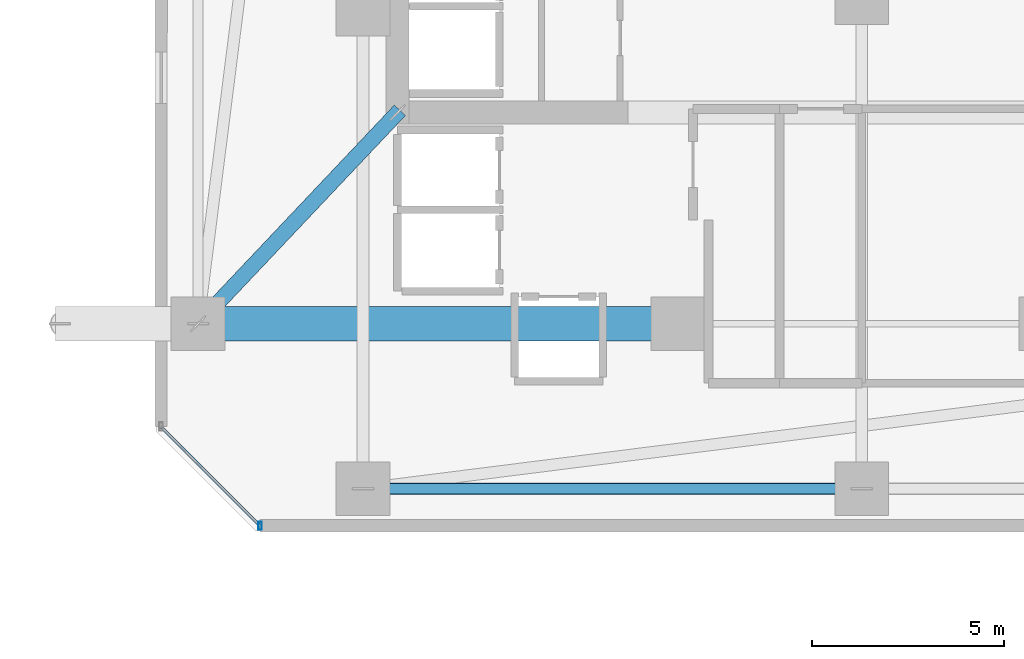
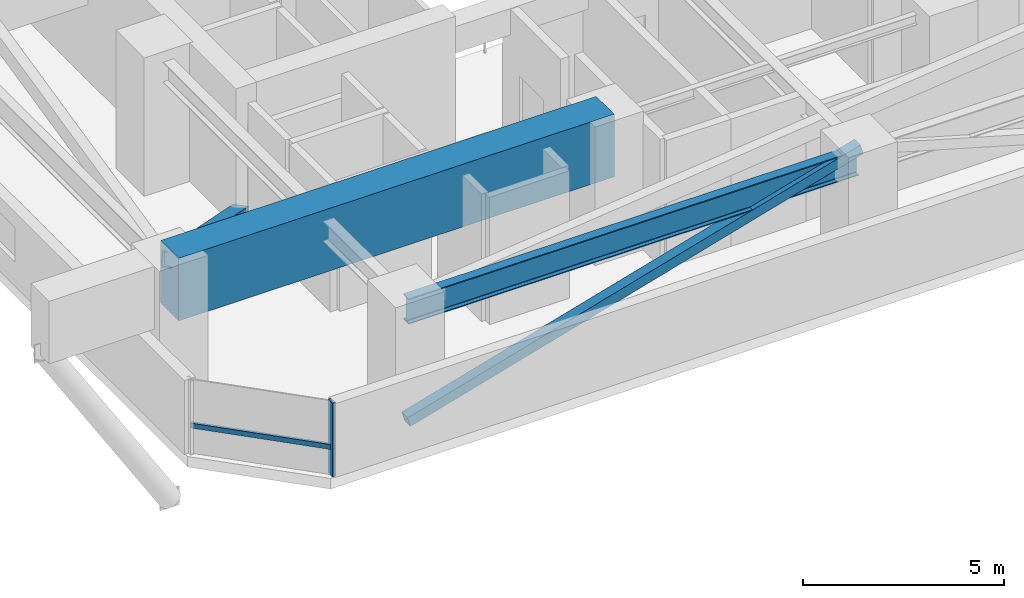
# One storey, part 17 of 38: 4 members, 2 beams, 1 element without a shape of its own.
"""IFC4 building model written with IfcOpenShell, lengths in metres."""

from ifc_helpers import new_model, si_unit, direction, frame, origin, origin_2d, place, context, subcontext, project, spatial, rectangle, hollow_rectangle, i_section, extrude, material, material_profile, profile_set, type_object, element, aggregate, save


model = new_model("IFC4")

# Units and contexts
model_context = context("Model", 3, precision=1e-05, world=origin(), true_north=direction((0.0, 1.0)))
body_context = subcontext(model_context, "Body", "Model", "MODEL_VIEW")
ifc_project = project(units=[si_unit("LENGTHUNIT", "METRE"), si_unit("AREAUNIT", "SQUARE_METRE"), si_unit("VOLUMEUNIT", "CUBIC_METRE"), si_unit("PLANEANGLEUNIT", "RADIAN"), si_unit("MASSUNIT", "GRAM", prefix="KILO")], contexts=[model_context])

# Site, building, storey
site_placement = place(None, origin())
site = spatial("IfcSite", under=ifc_project, at=site_placement, CompositionType="ELEMENT")
building_placement = place(site_placement, origin())
building = spatial("IfcBuilding", under=site, at=building_placement, Name="Thornwick Lancets Civic Towers", CompositionType="ELEMENT")
storey_placement = place(building_placement, frame((0.0, 0.0, 71.699951171875)))
storey = spatial("IfcBuildingStorey", under=building, at=storey_placement, Name="L18", CompositionType="ELEMENT", Elevation=71.699951171875)

# Beams
ifc_material_1 = material(Name="Steel S355JR", Category="steel")
ifc_material_profile_1 = material_profile(ifc_material_1, i_section(OverallWidth=0.26806640625, OverallDepth=0.769775390625, WebThickness=0.015625, FlangeThickness=0.025390625, FilletRadius=0.0166015625, at=origin_2d()), Name="UKB 762x267x197")
ifc_profile_set_1 = profile_set([ifc_material_profile_1], Name="Steel S355JR")
beam_type_1 = type_object("IfcBeamType", Name="BM_GIRD_762_197", PredefinedType="BEAM", material=ifc_profile_set_1)
beam_1_placement = place(storey_placement, frame((88.419921875, 9.699951171875, 3.4951171875), z_axis=(-1.0, 0.0, 0.0), x_axis=(0.0, -1.0, 0.0)))
element("IfcBeam", 1, at=beam_1_placement, inside=storey, type_object=beam_type_1, Name="BM-SPINE-L18-B-10-11", PredefinedType="BEAM", context=body_context, shape_type="SweptSolid", body=[
    extrude(i_section(OverallWidth=0.26806640625, OverallDepth=0.769775390625, WebThickness=0.015625, FlangeThickness=0.025390625, FilletRadius=0.0166015625, at=origin_2d()), origin(), (0.0, 0.0, 1.0), 12.919921875),
])
ifc_material_2 = material(Name="Concrete C60/75", Category="concrete")
ifc_material_profile_2 = material_profile(ifc_material_2, rectangle(XDim=0.89990234375, YDim=1.89990234375, at=origin_2d()), Name="RC 900x1900")
ifc_profile_set_2 = profile_set([ifc_material_profile_2], Name="Concrete C60/75")
beam_type_2 = type_object("IfcBeamType", Name="BM_TR_RC1900", PredefinedType="BEAM", material=ifc_profile_set_2)
beam_2_placement = place(storey_placement, frame((83.699951171875, 14.0, 3.25), z_axis=(-1.0, 0.0, 0.0), x_axis=(0.0, -1.0, 0.0)))
element("IfcBeam", 2, at=beam_2_placement, inside=storey, type_object=beam_type_2, Name="TG-BACK-L19-B07", PredefinedType="BEAM", context=body_context, shape_type="SweptSolid", body=[
    extrude(rectangle(XDim=0.89990234375, YDim=1.89990234375, at=origin_2d()), origin(), (0.0, 0.0, 1.0), 12.5),
])

# Curtain wall, members
ifc_material_3 = material(Name="Low-zone chamfered-corner unitised glass curtain wall", Category="glass")
curtain_wall_type = type_object("IfcCurtainWallType", Name="CW_SYS_03", PredefinedType="NOTDEFINED", material=ifc_material_3)
curtain_wall_placement = place(storey_placement, origin())
curtain_wall = element("IfcCurtainWall", 3, at=curtain_wall_placement, inside=storey, type_object=curtain_wall_type, Name="L18 Curtain Wall CW-L18-B-E7", PredefinedType="NOTDEFINED")
ifc_material_4 = material(Name="Thermally broken bronze aluminium S355", Category="steel")
ifc_material_profile_3 = material_profile(ifc_material_4, hollow_rectangle(XDim=0.090087890625, YDim=0.219970703125, WallThickness=0.00634765625, at=origin_2d()), Name="RHS 220x90x6.3")
ifc_profile_set_3 = profile_set([ifc_material_profile_3], Name="Thermally broken bronze aluminium S355")
member_type_1 = type_object("IfcMemberType", Name="CW_MUL_220", PredefinedType="MULLION", material=ifc_profile_set_3)
member_1_placement = place(storey_placement, frame((72.81884765625, 8.735107421875, 0.0), z_axis=(0.0, 0.0, 1.0), x_axis=(1.0, 0.0, 0.0)))
member_1 = element("IfcMember", 4, at=member_1_placement, type_object=member_type_1, Name="CW-L18-B-E7 Mullion 1", PredefinedType="MULLION", context=body_context, shape_type="SweptSolid", body=[
    extrude(hollow_rectangle(XDim=0.090087890625, YDim=0.219970703125, WallThickness=0.00634765625, at=origin_2d()), origin(), (0.0, 0.0, 1.0), 2.239990234375),
])
ifc_material_profile_4 = material_profile(ifc_material_4, hollow_rectangle(XDim=0.074951171875, YDim=0.14990234375, WallThickness=0.0048828125, at=origin_2d()), Name="RHS 150x75x5")
ifc_profile_set_4 = profile_set([ifc_material_profile_4], Name="Thermally broken bronze aluminium S355")
member_type_2 = type_object("IfcMemberType", Name="CW_TRN_150", PredefinedType="USERDEFINED", material=ifc_profile_set_4)
member_2_placement = place(storey_placement, frame((70.249267578125, 11.3046875, 0.85009765625), z_axis=(0.707106781187, -0.707106781187, 0.0), x_axis=(0.707106781187, 0.707106781187, 0.0)))
member_2 = element("IfcMember", 5, at=member_2_placement, type_object=member_type_2, Name="CW-L18-B-E7 Transom 0", ObjectType="TRANSOM", PredefinedType="USERDEFINED", context=body_context, shape_type="SweptSolid", body=[
    extrude(hollow_rectangle(XDim=0.074951171875, YDim=0.14990234375, WallThickness=0.0048828125, at=origin_2d()), origin(), (0.0, 0.0, 1.0), 3.614013671875),
])
aggregate(curtain_wall, [member_1, member_2])

# Members
ifc_material_5 = material(Name="Steel S460M", Category="steel")
ifc_material_profile_5 = material_profile(ifc_material_5, hollow_rectangle(XDim=0.300048828125, YDim=0.300048828125, WallThickness=0.01611328125, at=origin_2d()), Name="SHS 300x300x16")
ifc_profile_set_5 = profile_set([ifc_material_profile_5], Name="Steel S460M")
member_type_3 = type_object("IfcMemberType", Name="MEM_BELT_SHS300", PredefinedType="BRACE", material=ifc_profile_set_5)
member_3_placement = place(storey_placement, frame((75.5, 9.699951171875, 0.150146484375), z_axis=(0.961216810803, 0.0, 0.27579384081), x_axis=(0.0, 1.0, 0.0)))
element("IfcMember", 6, at=member_3_placement, inside=storey, type_object=member_type_3, Name="L18 Belt Truss Diagonal B-S3-2", PredefinedType="BRACE", context=body_context, shape_type="SweptSolid", body=[
    extrude(hollow_rectangle(XDim=0.300048828125, YDim=0.300048828125, WallThickness=0.01611328125, at=origin_2d()), origin(), (0.0, 0.0, 1.0), 13.5244140625),
])
ifc_material_profile_6 = material_profile(ifc_material_5, hollow_rectangle(XDim=0.39990234375, YDim=0.39990234375, WallThickness=0.02001953125, at=origin_2d()), Name="SHS 400x400x20")
ifc_profile_set_6 = profile_set([ifc_material_profile_6], Name="Steel S460M")
member_type_4 = type_object("IfcMemberType", Name="MEM_OUTRIG_SHS400", PredefinedType="BRACE", material=ifc_profile_set_6)
member_4_placement = place(storey_placement, frame((76.39990234375, 19.5, 0.150146484375), z_axis=(-0.616243593678, -0.651802229136, 0.442038106212), x_axis=(0.726649874932, -0.687007976126, 0.0)))
element("IfcMember", 7, at=member_4_placement, inside=storey, type_object=member_type_4, Name="L18 Outrigger Brace B-3", PredefinedType="BRACE", context=body_context, shape_type="SweptSolid", body=[
    extrude(hollow_rectangle(XDim=0.39990234375, YDim=0.39990234375, WallThickness=0.02001953125, at=origin_2d()), origin(), (0.0, 0.0, 1.0), 8.438232421875),
])

save(model, "model.ifc")
